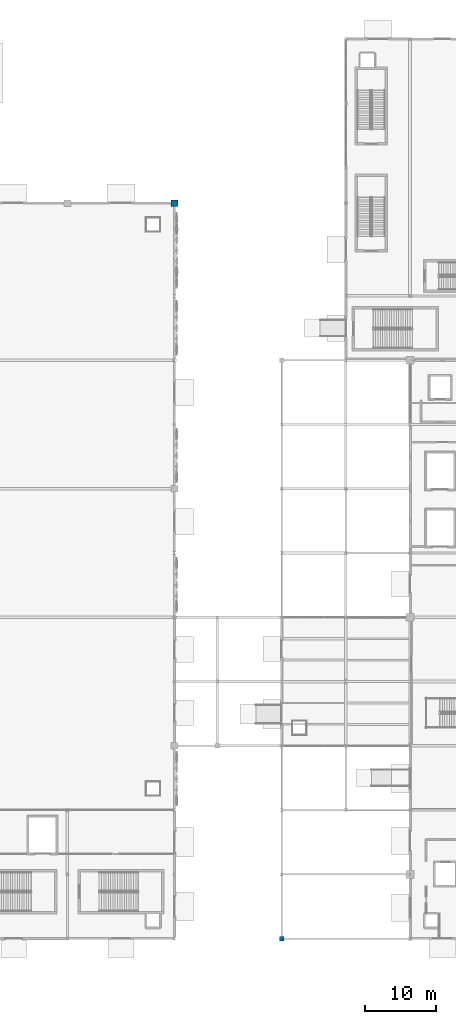
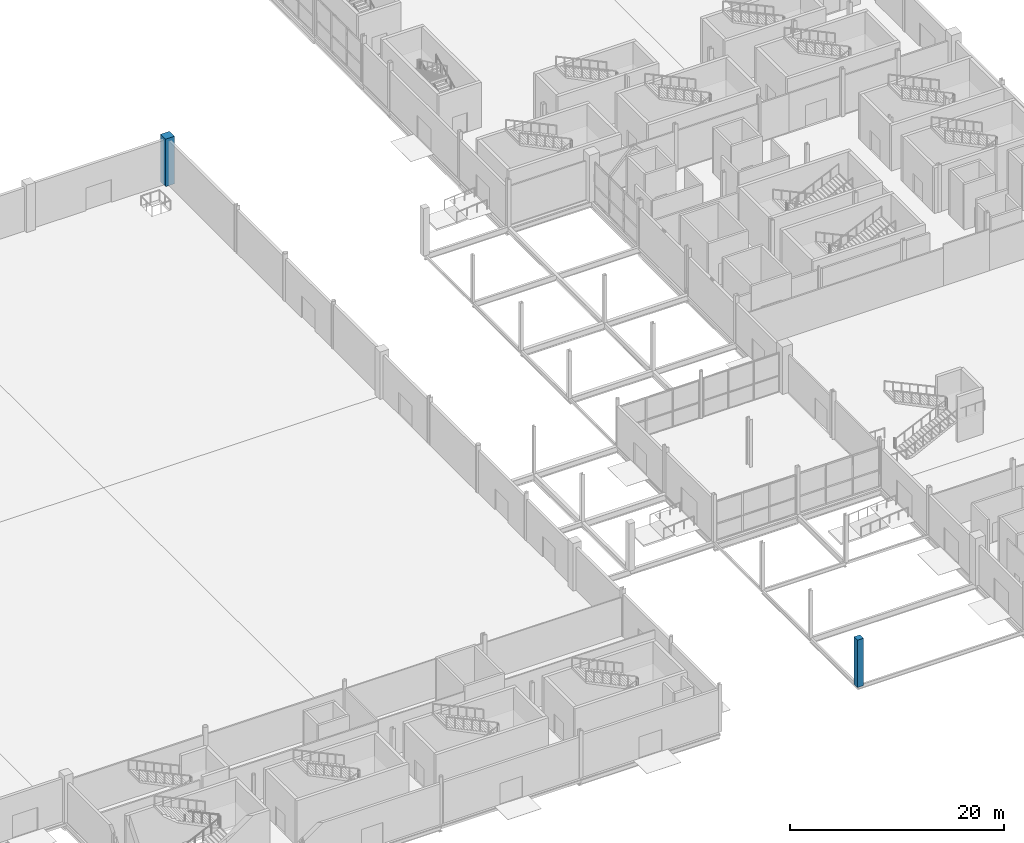
# One storey, part 12 of 94: 2 columns.
"""IFC4 building model written with IfcOpenShell, lengths in metres."""

from ifc_helpers import new_model, si_unit, direction, frame, origin, origin_2d, place, context, subcontext, project, spatial, rectangle, extrude, material, material_profile, profile_set, type_object, element, save


model = new_model("IFC4")

# Units and contexts
model_context = context("Model", 3, precision=1e-05, world=origin(), true_north=direction((0.0, 1.0)))
body_context = subcontext(model_context, "Body", "Model", "MODEL_VIEW")
ifc_project = project(units=[si_unit("LENGTHUNIT", "METRE"), si_unit("AREAUNIT", "SQUARE_METRE"), si_unit("VOLUMEUNIT", "CUBIC_METRE"), si_unit("PLANEANGLEUNIT", "RADIAN"), si_unit("MASSUNIT", "GRAM", prefix="KILO")], contexts=[model_context])

# Site, building, storey
site_placement = place(None, origin())
site = spatial("IfcSite", under=ifc_project, at=site_placement, CompositionType="ELEMENT")
building_placement = place(site_placement, origin())
building = spatial("IfcBuilding", under=site, at=building_placement, Name="Qamarlyn Nura Convention Centre", CompositionType="ELEMENT")
storey_placement = place(building_placement, origin())
storey = spatial("IfcBuildingStorey", under=building, at=storey_placement, Name="L00", CompositionType="ELEMENT", Elevation=0.0)

# Columns
ifc_material = material(Name="Concrete C50/60", Category="concrete")
ifc_material_profile_1 = material_profile(ifc_material, rectangle(XDim=0.949951171875, YDim=0.949951171875, at=origin_2d()), Name="RC 950x950")
ifc_profile_set_1 = profile_set([ifc_material_profile_1], Name="Concrete C50/60")
column_type_1 = type_object("IfcColumnType", Name="COL-HALL-2", PredefinedType="COLUMN", material=ifc_profile_set_1)
column_1_placement = place(storey_placement, frame((120.0, 103.0, 0.0), z_axis=(0.0, 0.0, 1.0), x_axis=(1.0, 0.0, 0.0)))
element("IfcColumn", 1, at=column_1_placement, inside=storey, type_object=column_type_1, Name="L00 column 9/M", PredefinedType="COLUMN", context=body_context, shape_type="SweptSolid", body=[
    extrude(rectangle(XDim=0.949951171875, YDim=0.949951171875, at=origin_2d()), origin(), (0.0, 0.0, 1.0), 5.39990234375),
])
ifc_material_profile_2 = material_profile(ifc_material, rectangle(XDim=0.64990234375, YDim=0.64990234375, at=origin_2d()), Name="RC 650x650")
ifc_profile_set_2 = profile_set([ifc_material_profile_2], Name="Concrete C50/60")
column_type_2 = type_object("IfcColumnType", Name="COL-SUB-3", PredefinedType="COLUMN", material=ifc_profile_set_2)
column_2_placement = place(storey_placement, frame((135.0, 0.0, 0.0), z_axis=(0.0, 0.0, 1.0), x_axis=(1.0, 0.0, 0.0)))
element("IfcColumn", 2, at=column_2_placement, inside=storey, type_object=column_type_2, Name="L00 column 11/A", PredefinedType="COLUMN", context=body_context, shape_type="SweptSolid", body=[
    extrude(rectangle(XDim=0.64990234375, YDim=0.64990234375, at=origin_2d()), origin(), (0.0, 0.0, 1.0), 5.39990234375),
])

save(model, "model.ifc")
